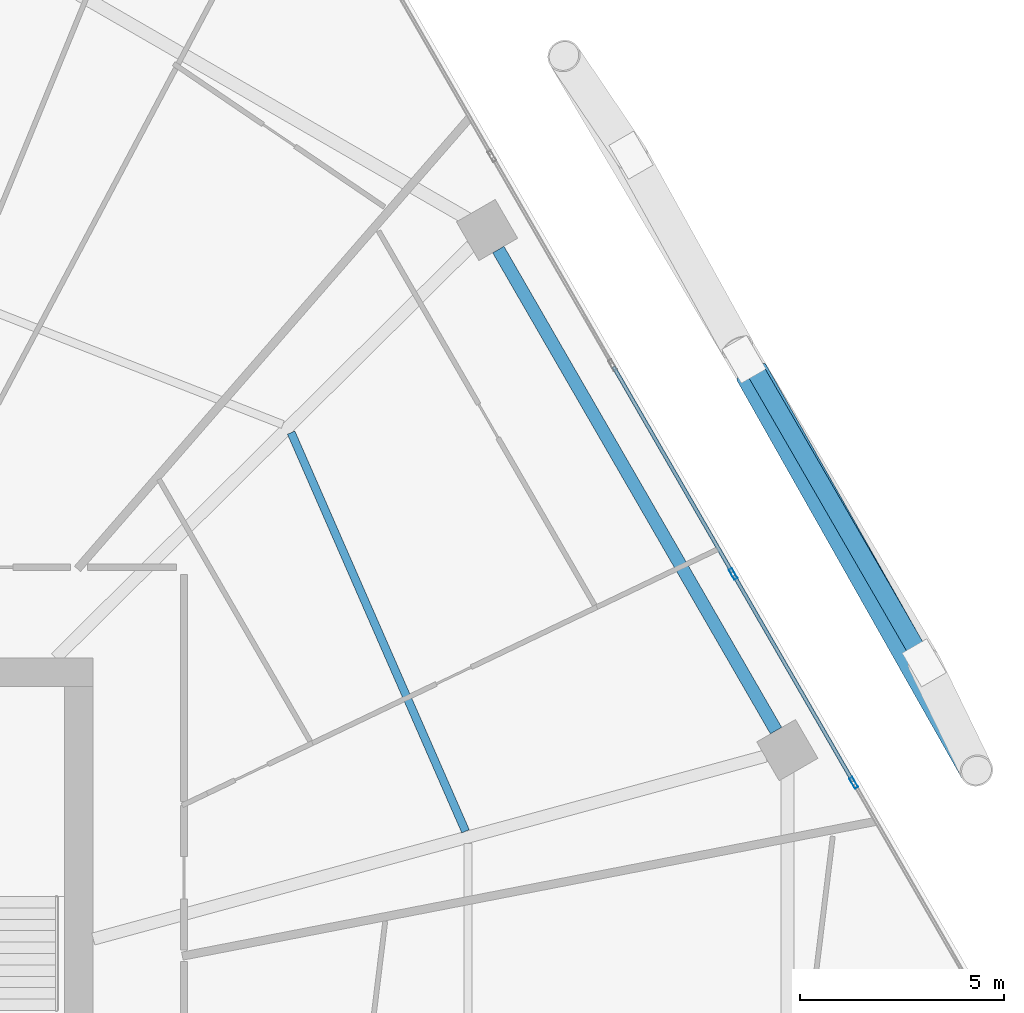
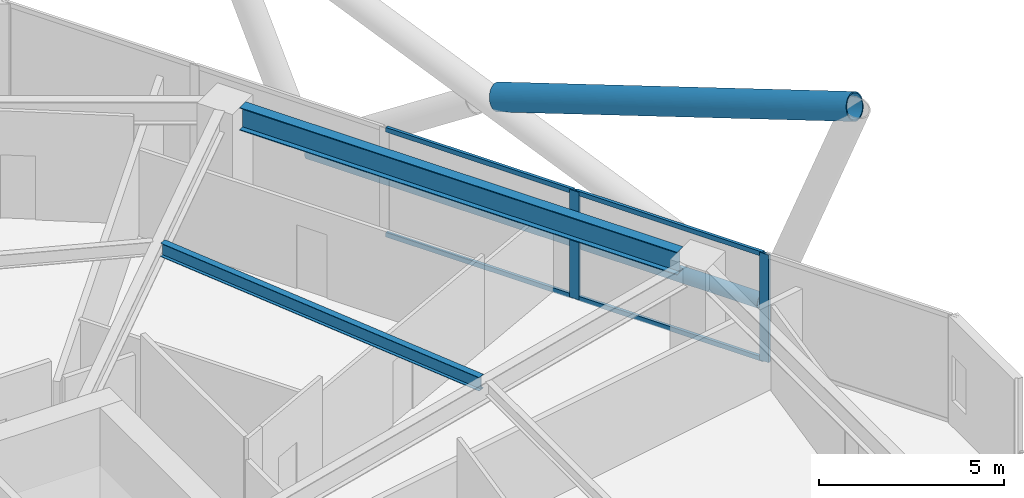
# One storey, part 20 of 34: 8 members, 2 beams, 1 element without a shape of its own.
"""IFC4 building model written with IfcOpenShell, lengths in metres."""

from ifc_helpers import new_model, si_unit, direction, frame, origin, origin_2d, place, context, subcontext, project, spatial, hollow_rectangle, hollow_circle, i_section, extrude, material, material_profile, profile_set, type_object, element, aggregate, save


model = new_model("IFC4")

# Units and contexts
model_context = context("Model", 3, precision=1e-05, world=origin(), true_north=direction((0.0, 1.0)))
body_context = subcontext(model_context, "Body", "Model", "MODEL_VIEW")
ifc_project = project(units=[si_unit("LENGTHUNIT", "METRE"), si_unit("AREAUNIT", "SQUARE_METRE"), si_unit("VOLUMEUNIT", "CUBIC_METRE"), si_unit("PLANEANGLEUNIT", "RADIAN"), si_unit("MASSUNIT", "GRAM", prefix="KILO")], contexts=[model_context])

# Site, building, storey
site_placement = place(None, origin())
site = spatial("IfcSite", under=ifc_project, at=site_placement, CompositionType="ELEMENT")
building_placement = place(site_placement, origin())
building = spatial("IfcBuilding", under=site, at=building_placement, Name="Zuhravey Tower", CompositionType="ELEMENT")
storey_placement = place(building_placement, frame((0.0, 0.0, 130.39990234375)))
storey = spatial("IfcBuildingStorey", under=building, at=storey_placement, Name="L32", CompositionType="ELEMENT", Elevation=130.39990234375)

# Curtain wall, members
ifc_material_1 = material(Name="Thermally broken anodised aluminium", Category="aluminium")
curtain_wall_type = type_object("IfcCurtainWallType", Name="Zone 1-2 Residential Curtain Wall CW3", PredefinedType="NOTDEFINED", material=ifc_material_1)
curtain_wall_placement = place(storey_placement, origin())
curtain_wall = element("IfcCurtainWall", 1, at=curtain_wall_placement, inside=storey, type_object=curtain_wall_type, Name="L32 CW3 CW-L32-F1-1", PredefinedType="NOTDEFINED")
ifc_material_2 = material(Name="Anodised aluminium", Category="aluminium")
ifc_material_profile_1 = material_profile(ifc_material_2, hollow_rectangle(XDim=0.090087890625, YDim=0.284912109375, WallThickness=0.0048828125, at=origin_2d()), Name="ALU-RHS-90x285x5")
ifc_profile_set_1 = profile_set([ifc_material_profile_1], Name="Anodised aluminium")
member_type_1 = type_object("IfcMemberType", Name="Curtain-Wall Mullion 90x180", PredefinedType="MULLION", material=ifc_profile_set_1)
member_1_placement = place(storey_placement, frame((62.55859375, 43.916015625, 0.0), z_axis=(0.0, 0.0, 1.0), x_axis=(0.86602552265, 0.499999794119, 0.0)))
member_1 = element("IfcMember", 2, at=member_1_placement, type_object=member_type_1, Name="CW3 mullion 4", PredefinedType="MULLION", context=body_context, shape_type="SweptSolid", body=[
    extrude(hollow_rectangle(XDim=0.090087890625, YDim=0.284912109375, WallThickness=0.0048828125, at=origin_2d()), origin(), (0.0, 0.0, 1.0), 3.550048828125),
])
member_2_placement = place(storey_placement, frame((65.5185546875, 38.789306640625, 0.0), z_axis=(0.0, 0.0, 1.0), x_axis=(0.86602552265, 0.499999794119, 0.0)))
member_2 = element("IfcMember", 3, at=member_2_placement, type_object=member_type_1, Name="CW3 mullion 5", PredefinedType="MULLION", context=body_context, shape_type="SweptSolid", body=[
    extrude(hollow_rectangle(XDim=0.090087890625, YDim=0.284912109375, WallThickness=0.0048828125, at=origin_2d()), origin(), (0.0, 0.0, 1.0), 3.550048828125),
])
ifc_material_profile_2 = material_profile(ifc_material_2, hollow_rectangle(XDim=0.090087890625, YDim=0.14990234375, WallThickness=0.0048828125, at=origin_2d()), Name="ALU-RHS-90x150x5")
ifc_profile_set_2 = profile_set([ifc_material_profile_2], Name="Anodised aluminium")
member_type_2 = type_object("IfcMemberType", Name="Curtain-Wall Transom 90x150", PredefinedType="USERDEFINED", material=ifc_profile_set_2)
member_3_placement = place(storey_placement, frame((59.621337890625, 49.003662109375, 0.045166015625), z_axis=(0.499981042766, -0.866036348472, 0.0), x_axis=(0.866036348472, 0.499981042766, 0.0)))
member_3 = element("IfcMember", 4, at=member_3_placement, type_object=member_type_2, Name="CW3 transom 3.1", ObjectType="TRANSOM", PredefinedType="USERDEFINED", context=body_context, shape_type="SweptSolid", body=[
    extrude(hollow_rectangle(XDim=0.090087890625, YDim=0.14990234375, WallThickness=0.0048828125, at=origin_2d()), origin(), (0.0, 0.0, 1.0), 5.829833984375),
])
member_4_placement = place(storey_placement, frame((59.621337890625, 49.003662109375, 3.505126953125), z_axis=(0.499981042766, -0.866036348472, 0.0), x_axis=(0.866036348472, 0.499981042766, 0.0)))
member_4 = element("IfcMember", 5, at=member_4_placement, type_object=member_type_2, Name="CW3 transom 3.2", ObjectType="TRANSOM", PredefinedType="USERDEFINED", context=body_context, shape_type="SweptSolid", body=[
    extrude(hollow_rectangle(XDim=0.090087890625, YDim=0.14990234375, WallThickness=0.0048828125, at=origin_2d()), origin(), (0.0, 0.0, 1.0), 5.829833984375),
])
member_5_placement = place(storey_placement, frame((62.581298828125, 43.876953125, 0.045166015625), z_axis=(0.499981042766, -0.866036348472, 0.0), x_axis=(0.866036348472, 0.499981042766, 0.0)))
member_5 = element("IfcMember", 6, at=member_5_placement, type_object=member_type_2, Name="CW3 transom 4.1", ObjectType="TRANSOM", PredefinedType="USERDEFINED", context=body_context, shape_type="SweptSolid", body=[
    extrude(hollow_rectangle(XDim=0.090087890625, YDim=0.14990234375, WallThickness=0.0048828125, at=origin_2d()), origin(), (0.0, 0.0, 1.0), 5.829833984375),
])
member_6_placement = place(storey_placement, frame((62.581298828125, 43.876953125, 3.505126953125), z_axis=(0.499981042766, -0.866036348472, 0.0), x_axis=(0.866036348472, 0.499981042766, 0.0)))
member_6 = element("IfcMember", 7, at=member_6_placement, type_object=member_type_2, Name="CW3 transom 4.2", ObjectType="TRANSOM", PredefinedType="USERDEFINED", context=body_context, shape_type="SweptSolid", body=[
    extrude(hollow_rectangle(XDim=0.090087890625, YDim=0.14990234375, WallThickness=0.0048828125, at=origin_2d()), origin(), (0.0, 0.0, 1.0), 5.829833984375),
])
aggregate(curtain_wall, [member_1, member_2, member_3, member_4, member_5, member_6])

# Members
ifc_material_3 = material(Name="Steel SM355", Category="steel")
ifc_material_profile_3 = material_profile(ifc_material_3, hollow_circle(Radius=0.228515625, WallThickness=0.02197265625, at=origin_2d()), Name="CHS-457.2x22")
ifc_profile_set_3 = profile_set([ifc_material_profile_3], Name="Steel SM355")
member_type_3 = type_object("IfcMemberType", Name="Exoskeleton Ring Tie CHS457x22", PredefinedType="CHORD", material=ifc_profile_set_3)
member_7_placement = place(storey_placement, frame((67.177734375, 41.85546875, -0.4638671875), z_axis=(-0.499995593262, 0.866027948001, 0.0), x_axis=(-0.866027948001, -0.499995593262, 0.0)))
element("IfcMember", 8, at=member_7_placement, inside=storey, type_object=member_type_3, Name="L32 Exoskeleton Face 1 Tie EXR1", PredefinedType="CHORD", context=body_context, shape_type="SweptSolid", body=[
    extrude(hollow_circle(Radius=0.228515625, WallThickness=0.02197265625, at=origin_2d()), origin(), (0.0, 0.0, 1.0), 14.107666015625),
])
ifc_material_4 = material(Name="Steel SM460", Category="steel")
ifc_material_profile_4 = material_profile(ifc_material_4, hollow_circle(Radius=0.406494140625, WallThickness=0.035888671875, at=origin_2d()), Name="CHS-812.8x36")
ifc_profile_set_4 = profile_set([ifc_material_profile_4], Name="Steel SM460")
member_type_4 = type_object("IfcMemberType", Name="Exoskeleton Zone 1 Diagrid CHS813x36", PredefinedType="BRACE", material=ifc_profile_set_4)
member_8_placement = place(storey_placement, frame((63.009765625, 48.858154296875, 3.45947265625), z_axis=(0.467705910372, -0.827326429316, 0.311098313653), x_axis=(0.870523791563, 0.492126333701, 0.0)))
element("IfcMember", 9, at=member_8_placement, inside=storey, type_object=member_type_4, Name="L32 Face 1 Split Diagrid Brace 3B", PredefinedType="BRACE", context=body_context, shape_type="SweptSolid", body=[
    extrude(hollow_circle(Radius=0.406494140625, WallThickness=0.035888671875, at=origin_2d()), origin(), (0.0, 0.0, 1.0), 11.763671875),
])

# Beams
ifc_material_profile_5 = material_profile(ifc_material_3, i_section(OverallWidth=0.320068359375, OverallDepth=0.75, WebThickness=0.013916015625, FlangeThickness=0.02490234375, at=origin_2d()), Name="H-750x320x14x25")
ifc_profile_set_5 = profile_set([ifc_material_profile_5], Name="Steel SM355")
beam_type_1 = type_object("IfcBeamType", Name="Perimeter Ring Beam H750x320", PredefinedType="BEAM", material=ifc_profile_set_5)
beam_1_placement = place(storey_placement, frame((63.612548828125, 40.070556640625, 3.175048828125), z_axis=(-0.500008177929, 0.866020682204, 0.0), x_axis=(-0.866020682204, -0.500008177929, 0.0)))
element("IfcBeam", 10, at=beam_1_placement, inside=storey, type_object=beam_type_1, Name="L32 PB1 BM-L32-PB-01", PredefinedType="BEAM", context=body_context, shape_type="SweptSolid", body=[
    extrude(i_section(OverallWidth=0.320068359375, OverallDepth=0.75, WebThickness=0.013916015625, FlangeThickness=0.02490234375, at=origin_2d()), origin(), (0.0, 0.0, 1.0), 13.634033203125),
])
ifc_material_profile_6 = material_profile(ifc_material_3, i_section(OverallWidth=0.199951171875, OverallDepth=0.449951171875, WebThickness=0.009033203125, FlangeThickness=0.013916015625, at=origin_2d()), Name="H-450x200x9x14")
ifc_profile_set_6 = profile_set([ifc_material_profile_6], Name="Steel SM355")
beam_type_2 = type_object("IfcBeamType", Name="Secondary Floor Joist H450x200", PredefinedType="JOIST", material=ifc_profile_set_6)
beam_2_placement = place(storey_placement, frame((55.99072265625, 37.599609375, 3.3251953125), z_axis=(-0.400786454617, 0.916171500209, 0.0), x_axis=(-0.916171500209, -0.400786454617, 0.0)))
element("IfcBeam", 11, at=beam_2_placement, inside=storey, type_object=beam_type_2, Name="L32 SJ1 BM-L32-SJ-01-1", PredefinedType="JOIST", context=body_context, shape_type="SweptSolid", body=[
    extrude(i_section(OverallWidth=0.199951171875, OverallDepth=0.449951171875, WebThickness=0.009033203125, FlangeThickness=0.013916015625, at=origin_2d()), origin(), (0.0, 0.0, 1.0), 10.6796875),
])

save(model, "model.ifc")
